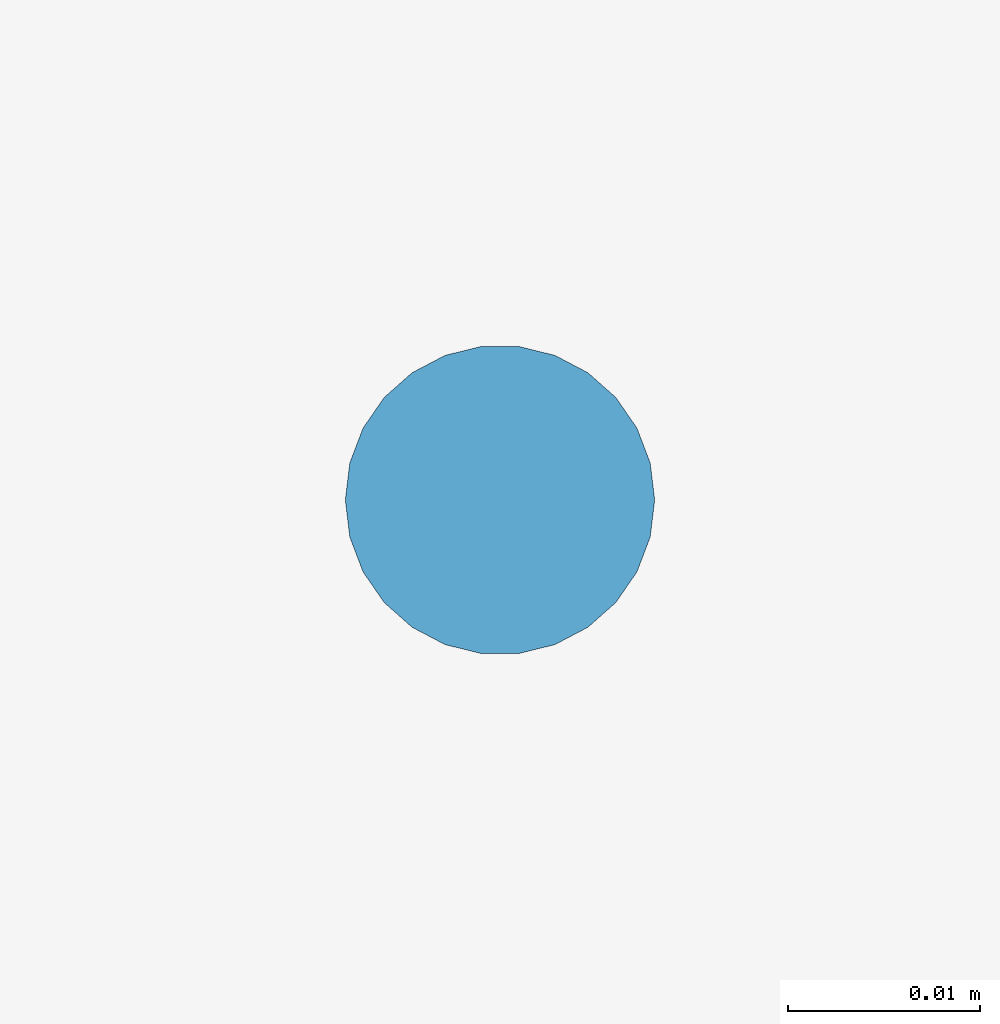
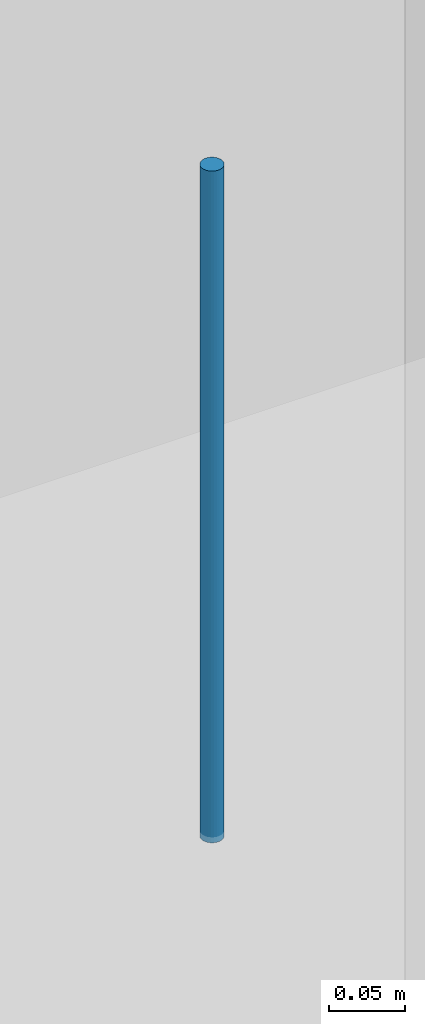
# One storey, part 73 of 82: 1 discrete accessory.
"""IFC4 building model written with IfcOpenShell, lengths in metres."""

from ifc_helpers import new_model, si_unit, direction, frame, origin, origin_2d, place, context, subcontext, project, spatial, circle, extrude, material, type_object, element, save


model = new_model("IFC4")

# Units and contexts
model_context = context("Model", 3, precision=1e-05, world=origin(), true_north=direction((0.0, 1.0)))
body_context = subcontext(model_context, "Body", "Model", "MODEL_VIEW")
ifc_project = project(units=[si_unit("LENGTHUNIT", "METRE"), si_unit("AREAUNIT", "SQUARE_METRE"), si_unit("VOLUMEUNIT", "CUBIC_METRE"), si_unit("PLANEANGLEUNIT", "RADIAN"), si_unit("MASSUNIT", "GRAM", prefix="KILO")], contexts=[model_context])

# Site, building, storey
site_placement = place(None, origin())
site = spatial("IfcSite", under=ifc_project, at=site_placement, CompositionType="ELEMENT")
building_placement = place(site_placement, origin())
building = spatial("IfcBuilding", under=site, at=building_placement, Name="Yukiwa Park Conservatory and Herbarium", CompositionType="ELEMENT")
storey_placement = place(building_placement, origin())
storey = spatial("IfcBuildingStorey", under=building, at=storey_placement, Name="L00", CompositionType="ELEMENT", Elevation=0.0)

# Discrete accessory
ifc_material = material(Name="Steel Q235B", Category="steel")
discrete_accessory_type = type_object("IfcDiscreteAccessoryType", Name="ACC-CEILING-HANGER", PredefinedType="BRACKET", material=ifc_material)
discrete_accessory_placement = place(storey_placement, frame((99.60009765625, 64.60009765625, 4.02490234375), z_axis=(0.0, 0.0, 1.0), x_axis=(1.0, 0.0, 0.0)))
element("IfcDiscreteAccessory", 1, at=discrete_accessory_placement, inside=storey, type_object=discrete_accessory_type, Name="Ceiling suspension hanger rod 7", PredefinedType="BRACKET", context=body_context, shape_type="SweptSolid", body=[
    extrude(circle(Radius=0.008056640625, at=origin_2d()), origin(), (0.0, 0.0, 1.0), 0.5400390625),
])

save(model, "model.ifc")
